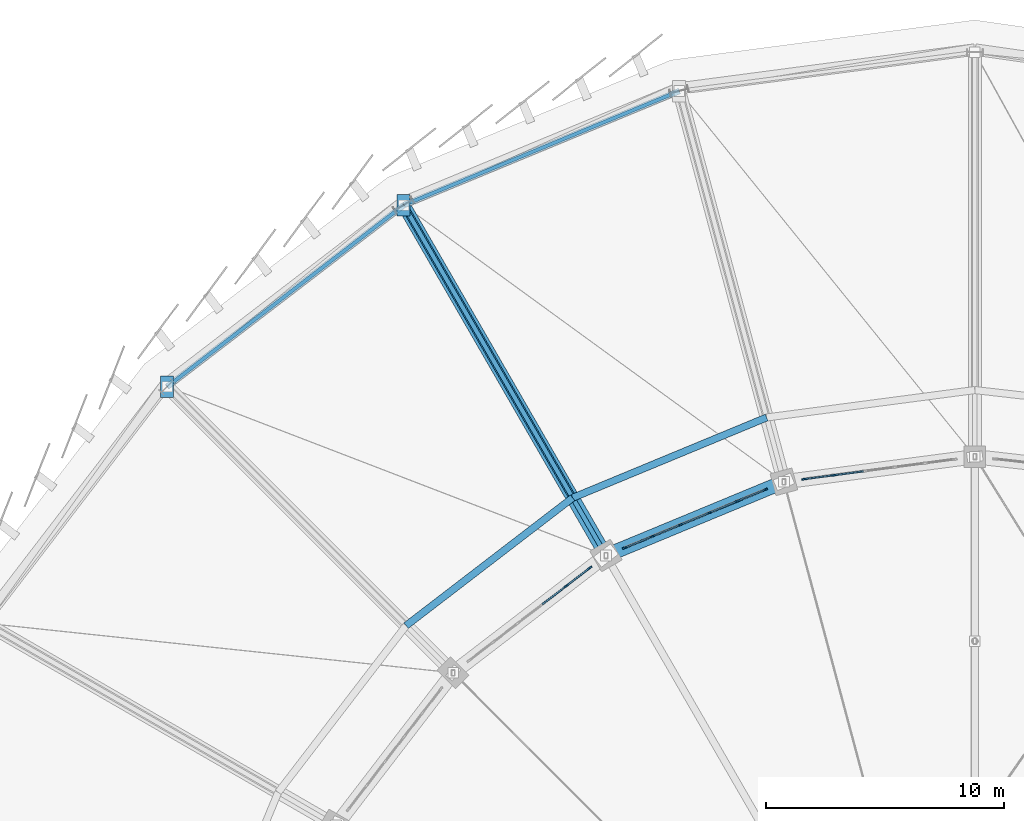
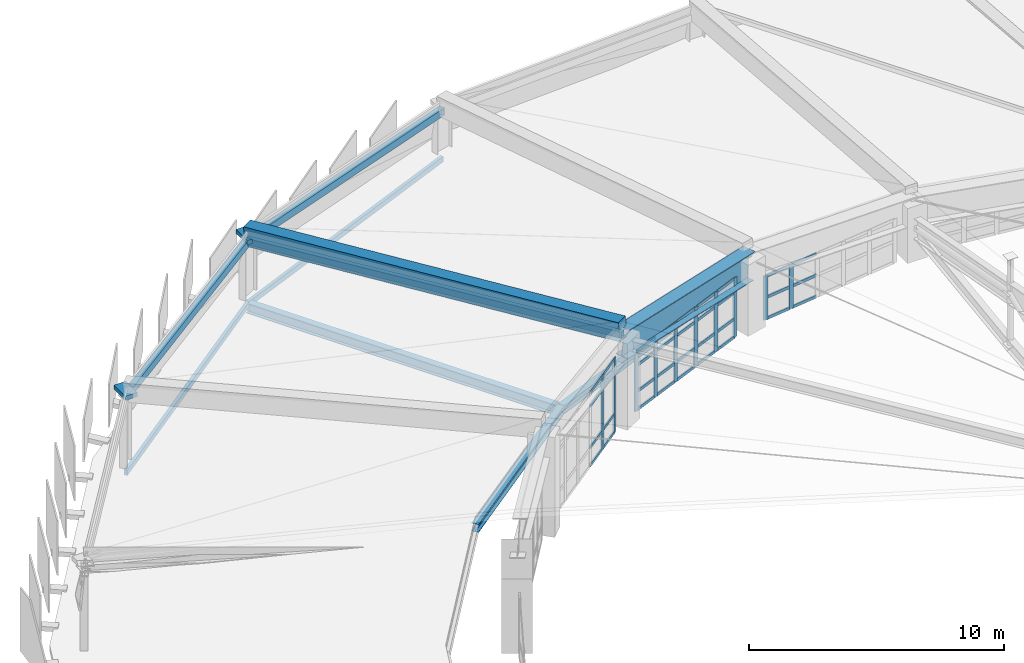
# One storey, part 33 of 68: 47 members, 9 beams, 3 elements without a shape of their own.
"""IFC4 building model written with IfcOpenShell, lengths in metres."""

import ifcopenshell
import ifcopenshell.guid

model = None  # the IFC model being written
_history = None  # IfcOwnerHistory: only IFC2X3 demands one
_inside = {}  # id of a spatial element -> (the spatial element, [elements in it])
_under = {}  # id of a project, library or spatial element -> (it, [spatial elements below it])
_declared = {}  # id of a project -> (the project, [libraries it declares])
_typed = {}  # id of a type object -> (the type object, [elements of that type])
_made_of = {}  # id of a material, layer set ... -> (it, [elements and type objects made of it])


def new_model(schema):
    """Start an empty IFC model of exactly this schema.

    Asked for "IFC4X3", IfcOpenShell would pick the latest addendum, in which some entities
    have other attributes; the version numbers below select the first issue.
    IFC2X3 requires an IfcOwnerHistory on every rooted entity: one is made here for all.
    """
    global model, _history
    if schema == "IFC4X3":
        model = ifcopenshell.file(schema_version=(4, 3, 0, 0))
    else:
        model = ifcopenshell.file(schema=schema)
    _inside.clear()
    _under.clear()
    _declared.clear()
    _typed.clear()
    _made_of.clear()
    _history = None
    if model.schema == "IFC2X3":
        org = make("IfcOrganization", Name="unknown")
        user = make(
            "IfcPersonAndOrganization",
            ThePerson=make("IfcPerson", FamilyName="unknown"),
            TheOrganization=org,
        )
        app = make(
            "IfcApplication",
            ApplicationDeveloper=org,
            Version="unknown",
            ApplicationFullName="unknown",
            ApplicationIdentifier="unknown",
        )
        _history = make(
            "IfcOwnerHistory",
            OwningUser=user,
            OwningApplication=app,
            ChangeAction="ADDED",
            CreationDate=0,
        )
    return model


def make(cls, **values):
    """One entity of the class cls with the attributes given. An attribute that is None is left unset."""
    return model.create_entity(
        cls, **{name: value for name, value in values.items() if value is not None}
    )


def rooted(cls, **values):
    """An entity with a GlobalId (a new one), such as an element, a storey or a relation."""
    return make(cls, GlobalId=ifcopenshell.guid.new(), OwnerHistory=_history, **values)


def si_unit(unit_type, name, prefix=None):
    """IfcSIUnit, for example si_unit("LENGTHUNIT", "METRE", prefix="MILLI")."""
    return make("IfcSIUnit", UnitType=unit_type, Prefix=prefix, Name=name)


def assignment(units):
    """IfcUnitAssignment: the units of a project."""
    return None if units is None else make("IfcUnitAssignment", Units=units)


def point(xyz):
    """IfcCartesianPoint."""
    return None if xyz is None else make("IfcCartesianPoint", Coordinates=xyz)


def direction(xyz):
    """IfcDirection."""
    return None if xyz is None else make("IfcDirection", DirectionRatios=xyz)


def frame(location, z_axis=None, x_axis=None):
    """IfcAxis2Placement3D, a coordinate frame: its origin and axes. An axis left out is left unset."""
    return make(
        "IfcAxis2Placement3D",
        Location=point(location),
        Axis=direction(z_axis),
        RefDirection=direction(x_axis),
    )


def frame_2d(location, x_axis=None):
    """IfcAxis2Placement2D, a coordinate frame in the plane: its origin and x axis."""
    return make(
        "IfcAxis2Placement2D", Location=point(location), RefDirection=direction(x_axis)
    )


def origin():
    """The frame at (0, 0, 0) with its axes left unset."""
    return frame((0.0, 0.0, 0.0))


def origin_2d():
    """The frame at (0, 0) in the plane with its x axis left unset."""
    return frame_2d((0.0, 0.0))


def place(relative_to, where):
    """IfcLocalPlacement: puts the frame where relative to a parent placement (None: the world)."""
    return make(
        "IfcLocalPlacement", PlacementRelTo=relative_to, RelativePlacement=where
    )


def context(
    kind, dimensions, precision=None, world=None, true_north=None, identifier=None
):
    """IfcGeometricRepresentationContext, for example the 3D "Model" context."""
    return make(
        "IfcGeometricRepresentationContext",
        ContextIdentifier=identifier,
        ContextType=kind,
        CoordinateSpaceDimension=dimensions,
        Precision=precision,
        WorldCoordinateSystem=world,
        TrueNorth=true_north,
    )


def subcontext(parent, identifier, kind, view, scale=None):
    """IfcGeometricRepresentationSubContext, for example "Body" below "Model"."""
    return make(
        "IfcGeometricRepresentationSubContext",
        ContextIdentifier=identifier,
        ContextType=kind,
        ParentContext=parent,
        TargetScale=scale,
        TargetView=view,
    )


def project(units=None, contexts=None):
    """IfcProject with its units and contexts."""
    return rooted(
        "IfcProject",
        Name="project",
        RepresentationContexts=contexts,
        UnitsInContext=assignment(units),
    )


def spatial(cls, under=None, at=None, **own):
    """A site, building, storey or space (cls), placed at a placement, below another one or the project."""
    s = rooted(cls, ObjectPlacement=at, **own)
    if under is not None:
        _under.setdefault(under.id(), (under, []))[1].append(s)
    return s


def profile(cls, at=None, kind="AREA", **sizes):
    """A parametric profile (cls). Its sizes go by their IFC names, for example OverallWidth=200.0."""
    return make(cls, ProfileType=kind, Position=at, **sizes)


def rectangle(**sizes):
    """IfcRectangleProfileDef."""
    return profile("IfcRectangleProfileDef", **sizes)


def hollow_rectangle(**sizes):
    """IfcRectangleHollowProfileDef."""
    return profile("IfcRectangleHollowProfileDef", **sizes)


def i_section(**sizes):
    """IfcIShapeProfileDef."""
    return profile("IfcIShapeProfileDef", **sizes)


def extrude(swept, where, along, depth):
    """IfcExtrudedAreaSolid: the profile swept, set in the frame where, extruded along a direction by depth."""
    return make(
        "IfcExtrudedAreaSolid",
        SweptArea=swept,
        Position=where,
        ExtrudedDirection=direction(along),
        Depth=depth,
    )


def shape(context_of_items, identifier, shape_type, items):
    """IfcShapeRepresentation: the items that make up one representation, for example the "Body"."""
    return make(
        "IfcShapeRepresentation",
        ContextOfItems=context_of_items,
        RepresentationIdentifier=identifier,
        RepresentationType=shape_type,
        Items=items,
    )


def material(Name=None, Category=None):
    """IfcMaterial."""
    return make("IfcMaterial", Name=Name, Category=Category)


def layer(
    of_material, thickness, ventilated=None, Name=None, Category=None, Priority=None
):
    """IfcMaterialLayer: one layer of a wall or slab, of a material (None: an air gap)."""
    return make(
        "IfcMaterialLayer",
        Material=of_material,
        LayerThickness=thickness,
        IsVentilated=ventilated,
        Name=Name,
        Category=Category,
        Priority=Priority,
    )


def layer_set(layers, Name=None):
    """IfcMaterialLayerSet."""
    return make("IfcMaterialLayerSet", MaterialLayers=layers, LayerSetName=Name)


def material_profile(
    of_material, cross_section, Name=None, Category=None, Priority=None
):
    """IfcMaterialProfile: a cross section and its material."""
    return make(
        "IfcMaterialProfile",
        Name=Name,
        Material=of_material,
        Profile=cross_section,
        Priority=Priority,
        Category=Category,
    )


def profile_set(profiles, Name=None, composite=None):
    """IfcMaterialProfileSet."""
    return make(
        "IfcMaterialProfileSet",
        Name=Name,
        MaterialProfiles=profiles,
        CompositeProfile=composite,
    )


def made_of(thing, what):
    """Note that an element or type object is made of a material, layer set ...; save() writes the relation."""
    if what is not None:
        _made_of.setdefault(what.id(), (what, []))[1].append(thing)
    return thing


def type_object(cls, material=None, **own):
    """A type object (cls), such as IfcWallType, which elements share."""
    return made_of(rooted(cls, **own), material)


def element(
    cls,
    number,
    at=None,
    inside=None,
    cuts=None,
    type_object=None,
    material=None,
    context=None,
    identifier="Body",
    shape_type=None,
    held_by="IfcProductDefinitionShape",
    body=None,
    shapes=None,
    **own,
):
    """One element of the class cls, such as IfcWall. Its Tag is "e" and its number.

    at: its placement. inside: the storey or other place that contains it. cuts: it is an
    opening in that element (IfcRelVoidsElement). A single representation is given by context,
    identifier, shape_type and body (its items); several are given by shapes. held_by: the class
    of the entity that holds the representations. save() writes the other relations.
    """
    e = rooted(cls, Tag="e%d" % number, ObjectPlacement=at, **own)
    if body is not None:
        shapes = [shape(context, identifier, shape_type, body)]
    if shapes is not None:
        e.Representation = make(held_by, Representations=shapes)
    if inside is not None:
        _inside.setdefault(inside.id(), (inside, []))[1].append(e)
    if cuts is not None:
        rooted(
            "IfcRelVoidsElement", RelatingBuildingElement=cuts, RelatedOpeningElement=e
        )
    if type_object is not None:
        _typed.setdefault(type_object.id(), (type_object, []))[1].append(e)
    return made_of(e, material)


def aggregate(whole, parts):
    """IfcRelAggregates: a whole, such as a stair, and the parts it consists of."""
    return rooted("IfcRelAggregates", RelatingObject=whole, RelatedObjects=parts)


def save(model, path):
    """Write the relations noted so far, then the file.

    IfcRelAggregates (storeys below a building ...), IfcRelContainedInSpatialStructure (elements
    in a storey), IfcRelDefinesByType, IfcRelAssociatesMaterial and IfcRelDeclares: one each for
    every whole, place, type object, material and project.
    """
    for whole, parts in _under.values():
        aggregate(whole, parts)
    for where, things in _inside.values():
        rooted(
            "IfcRelContainedInSpatialStructure",
            RelatedElements=things,
            RelatingStructure=where,
        )
    for kind, things in _typed.values():
        rooted("IfcRelDefinesByType", RelatedObjects=things, RelatingType=kind)
    for what, things in _made_of.values():
        rooted("IfcRelAssociatesMaterial", RelatedObjects=things, RelatingMaterial=what)
    for by, libraries in _declared.values():
        rooted("IfcRelDeclares", RelatingContext=by, RelatedDefinitions=libraries)
    model.write(path)


model = new_model("IFC4")

# Units and contexts
model_context = context("Model", 3, precision=1e-05, world=origin(), true_north=direction((0.0, 1.0)))
body_context = subcontext(model_context, "Body", "Model", "MODEL_VIEW")
ifc_project = project(units=[si_unit("LENGTHUNIT", "METRE"), si_unit("AREAUNIT", "SQUARE_METRE"), si_unit("VOLUMEUNIT", "CUBIC_METRE"), si_unit("PLANEANGLEUNIT", "RADIAN"), si_unit("MASSUNIT", "GRAM", prefix="KILO")], contexts=[model_context])

# Site, building, storey
site_placement = place(None, origin())
site = spatial("IfcSite", under=ifc_project, at=site_placement, CompositionType="ELEMENT")
building_placement = place(site_placement, origin())
building = spatial("IfcBuilding", under=site, at=building_placement, Name="Sohan Crest Arena", CompositionType="ELEMENT")
storey_placement = place(building_placement, frame((0.0, 0.0, 27.0)))
storey = spatial("IfcBuildingStorey", under=building, at=storey_placement, Name="RF", CompositionType="ELEMENT", Elevation=27.0)

# Curtain wall, members
ifc_material_1 = material(Name="Thermally broken anodised aluminium", Category="aluminium")
ifc_layer = layer(ifc_material_1, 0.18994140625, Name="Thermally broken anodised aluminium")
ifc_layer_set = layer_set([ifc_layer], Name="Thermally broken anodised aluminium")
curtain_wall_type = type_object("IfcCurtainWallType", Name="ARC-CW05", PredefinedType="NOTDEFINED", material=ifc_layer_set)
curtain_wall_1_placement = place(storey_placement, origin())
curtain_wall_1 = element("IfcCurtainWall", 1, at=curtain_wall_1_placement, inside=storey, type_object=curtain_wall_type, Name="Unitised curtain wall CW-165", PredefinedType="NOTDEFINED")
ifc_material_profile_1 = material_profile(ifc_material_1, rectangle(XDim=0.070068359375, YDim=0.199951171875, at=origin_2d()), Name="ALU-MULL 70x200")
ifc_profile_set_1 = profile_set([ifc_material_profile_1], Name="Thermally broken anodised aluminium")
member_type_1 = type_object("IfcMemberType", Name="ARC-CW-ML03", PredefinedType="MULLION", material=ifc_profile_set_1)
member_1_placement = place(storey_placement, frame((92.0693359375, 108.219482421875, 0.0), z_axis=(0.0, 0.0, 1.0), x_axis=(0.130498613419, -0.991448491802, 0.0)))
member_1 = element("IfcMember", 2, at=member_1_placement, type_object=member_type_1, Name="CW-165 mullion 5", PredefinedType="MULLION", context=body_context, shape_type="SweptSolid", body=[
    extrude(rectangle(XDim=0.070068359375, YDim=0.199951171875, at=origin_2d()), origin(), (0.0, 0.0, 1.0), 2.097900390625),
])
member_2_placement = place(storey_placement, frame((90.82470703125, 108.0556640625, 0.0), z_axis=(0.0, 0.0, 1.0), x_axis=(0.130498613419, -0.991448491802, 0.0)))
member_2 = element("IfcMember", 3, at=member_2_placement, type_object=member_type_1, Name="CW-165 mullion 6", PredefinedType="MULLION", context=body_context, shape_type="SweptSolid", body=[
    extrude(rectangle(XDim=0.070068359375, YDim=0.199951171875, at=origin_2d()), origin(), (0.0, 0.0, 1.0), 2.097900390625),
])

curtain_wall_2_placement = place(storey_placement, origin())
curtain_wall_2 = element("IfcCurtainWall", 4, at=curtain_wall_2_placement, inside=storey, type_object=curtain_wall_type, Name="Unitised curtain wall CW-167", PredefinedType="NOTDEFINED")
member_3_placement = place(storey_placement, frame((89.186767578125, 107.61669921875, 0.0), z_axis=(0.0, 0.0, 1.0), x_axis=(0.382666625357, -0.923886494023, 0.0)))
member_3 = element("IfcMember", 5, at=member_3_placement, type_object=member_type_1, Name="CW-167 mullion 1", PredefinedType="MULLION", context=body_context, shape_type="SweptSolid", body=[
    extrude(rectangle(XDim=0.070068359375, YDim=0.199951171875, at=origin_2d()), origin(), (0.0, 0.0, 1.0), 2.861083984375),
])
member_4_placement = place(storey_placement, frame((88.02685546875, 107.13623046875, 0.0), z_axis=(0.0, 0.0, 1.0), x_axis=(0.382666625357, -0.923886494023, 0.0)))
member_4 = element("IfcMember", 6, at=member_4_placement, type_object=member_type_1, Name="CW-167 mullion 2", PredefinedType="MULLION", context=body_context, shape_type="SweptSolid", body=[
    extrude(rectangle(XDim=0.070068359375, YDim=0.199951171875, at=origin_2d()), origin(), (0.0, 0.0, 1.0), 2.861083984375),
])
member_5_placement = place(storey_placement, frame((86.834716796875, 106.642333984375, 0.0), z_axis=(0.0, 0.0, 1.0), x_axis=(0.382666625357, -0.923886494023, 0.0)))
member_5 = element("IfcMember", 7, at=member_5_placement, type_object=member_type_1, Name="CW-167 mullion 3", PredefinedType="MULLION", context=body_context, shape_type="SweptSolid", body=[
    extrude(rectangle(XDim=0.070068359375, YDim=0.199951171875, at=origin_2d()), origin(), (0.0, 0.0, 1.0), 2.861083984375),
])
member_6_placement = place(storey_placement, frame((85.642333984375, 106.148681640625, 0.0), z_axis=(0.0, 0.0, 1.0), x_axis=(0.382666625357, -0.923886494023, 0.0)))
member_6 = element("IfcMember", 8, at=member_6_placement, type_object=member_type_1, Name="CW-167 mullion 4", PredefinedType="MULLION", context=body_context, shape_type="SweptSolid", body=[
    extrude(rectangle(XDim=0.070068359375, YDim=0.199951171875, at=origin_2d()), origin(), (0.0, 0.0, 1.0), 2.861083984375),
])
member_7_placement = place(storey_placement, frame((84.4501953125, 105.65478515625, 0.0), z_axis=(0.0, 0.0, 1.0), x_axis=(0.382666625357, -0.923886494023, 0.0)))
member_7 = element("IfcMember", 9, at=member_7_placement, type_object=member_type_1, Name="CW-167 mullion 5", PredefinedType="MULLION", context=body_context, shape_type="SweptSolid", body=[
    extrude(rectangle(XDim=0.070068359375, YDim=0.199951171875, at=origin_2d()), origin(), (0.0, 0.0, 1.0), 2.861083984375),
])
member_8_placement = place(storey_placement, frame((83.290283203125, 105.17431640625, 0.0), z_axis=(0.0, 0.0, 1.0), x_axis=(0.382666625357, -0.923886494023, 0.0)))
member_8 = element("IfcMember", 10, at=member_8_placement, type_object=member_type_1, Name="CW-167 mullion 6", PredefinedType="MULLION", context=body_context, shape_type="SweptSolid", body=[
    extrude(rectangle(XDim=0.070068359375, YDim=0.199951171875, at=origin_2d()), origin(), (0.0, 0.0, 1.0), 2.861083984375),
])

curtain_wall_3_placement = place(storey_placement, origin())
curtain_wall_3 = element("IfcCurtainWall", 11, at=curtain_wall_3_placement, inside=storey, type_object=curtain_wall_type, Name="Unitised curtain wall CW-169", PredefinedType="NOTDEFINED")
member_9_placement = place(storey_placement, frame((81.8212890625, 104.32666015625, 0.0), z_axis=(0.0, 0.0, 1.0), x_axis=(0.608939000248, -0.793217053508, 0.0)))
member_9 = element("IfcMember", 12, at=member_9_placement, type_object=member_type_1, Name="CW-169 mullion 1", PredefinedType="MULLION", context=body_context, shape_type="SweptSolid", body=[
    extrude(rectangle(XDim=0.070068359375, YDim=0.199951171875, at=origin_2d()), origin(), (0.0, 0.0, 1.0), 3.5830078125),
])
member_10_placement = place(storey_placement, frame((80.825439453125, 103.562255859375, 0.0), z_axis=(0.0, 0.0, 1.0), x_axis=(0.608939000248, -0.793217053508, 0.0)))
member_10 = element("IfcMember", 13, at=member_10_placement, type_object=member_type_1, Name="CW-169 mullion 2", PredefinedType="MULLION", context=body_context, shape_type="SweptSolid", body=[
    extrude(rectangle(XDim=0.070068359375, YDim=0.199951171875, at=origin_2d()), origin(), (0.0, 0.0, 1.0), 3.5830078125),
])

# Member
ifc_material_profile_2 = material_profile(ifc_material_1, rectangle(XDim=0.06494140625, YDim=0.139892578125, at=origin_2d()), Name="ALU-TRAN 65x140")
ifc_profile_set_2 = profile_set([ifc_material_profile_2], Name="Thermally broken anodised aluminium")
member_type_2 = type_object("IfcMemberType", Name="ARC-CW-TR02", PredefinedType="USERDEFINED", material=ifc_profile_set_2)
member_11_placement = place(storey_placement, frame((93.314208984375, 108.38330078125, 0.032470703125), z_axis=(-0.991434542181, -0.130604550342, 0.0), x_axis=(0.130604550342, -0.991434542181, 0.0)))
member_11 = element("IfcMember", 14, at=member_11_placement, type_object=member_type_2, Name="CW-165 transom 4.1", ObjectType="TRANSOM", PredefinedType="USERDEFINED", context=body_context, shape_type="SweptSolid", body=[
    extrude(rectangle(XDim=0.06494140625, YDim=0.139892578125, at=origin_2d()), origin(), (0.0, 0.0, 1.0), 1.220703125),
])

member_12_placement = place(storey_placement, frame((93.314208984375, 108.38330078125, 1.049072265625), z_axis=(-0.991434542181, -0.130604550342, 0.0), x_axis=(0.130604550342, -0.991434542181, 0.0)))
member_12 = element("IfcMember", 15, at=member_12_placement, type_object=member_type_2, Name="CW-165 transom 4.2", ObjectType="TRANSOM", PredefinedType="USERDEFINED", context=body_context, shape_type="SweptSolid", body=[
    extrude(rectangle(XDim=0.06494140625, YDim=0.139892578125, at=origin_2d()), origin(), (0.0, 0.0, 1.0), 1.220703125),
])

member_13_placement = place(storey_placement, frame((93.314208984375, 108.38330078125, 2.0654296875), z_axis=(-0.991434542181, -0.130604550342, 0.0), x_axis=(0.130604550342, -0.991434542181, 0.0)))
member_13 = element("IfcMember", 16, at=member_13_placement, type_object=member_type_2, Name="CW-165 transom 4.3", ObjectType="TRANSOM", PredefinedType="USERDEFINED", context=body_context, shape_type="SweptSolid", body=[
    extrude(rectangle(XDim=0.06494140625, YDim=0.139892578125, at=origin_2d()), origin(), (0.0, 0.0, 1.0), 1.220703125),
])

member_14_placement = place(storey_placement, frame((92.03466796875, 108.21484375, 0.032470703125), z_axis=(-0.991438866968, -0.130571716173, 0.0), x_axis=(0.130571716173, -0.991438866968, 0.0)))
member_14 = element("IfcMember", 17, at=member_14_placement, type_object=member_type_2, Name="CW-165 transom 5.1", ObjectType="TRANSOM", PredefinedType="USERDEFINED", context=body_context, shape_type="SweptSolid", body=[
    extrude(rectangle(XDim=0.06494140625, YDim=0.139892578125, at=origin_2d()), origin(), (0.0, 0.0, 1.0), 1.185546875),
])

member_15_placement = place(storey_placement, frame((92.03466796875, 108.21484375, 1.049072265625), z_axis=(-0.991438866968, -0.130571716173, 0.0), x_axis=(0.130571716173, -0.991438866968, 0.0)))
member_15 = element("IfcMember", 18, at=member_15_placement, type_object=member_type_2, Name="CW-165 transom 5.2", ObjectType="TRANSOM", PredefinedType="USERDEFINED", context=body_context, shape_type="SweptSolid", body=[
    extrude(rectangle(XDim=0.06494140625, YDim=0.139892578125, at=origin_2d()), origin(), (0.0, 0.0, 1.0), 1.185546875),
])

member_16_placement = place(storey_placement, frame((92.03466796875, 108.21484375, 2.0654296875), z_axis=(-0.991438866968, -0.130571716173, 0.0), x_axis=(0.130571716173, -0.991438866968, 0.0)))
member_16 = element("IfcMember", 19, at=member_16_placement, type_object=member_type_2, Name="CW-165 transom 5.3", ObjectType="TRANSOM", PredefinedType="USERDEFINED", context=body_context, shape_type="SweptSolid", body=[
    extrude(rectangle(XDim=0.06494140625, YDim=0.139892578125, at=origin_2d()), origin(), (0.0, 0.0, 1.0), 1.185546875),
])

aggregate(curtain_wall_1, [member_1, member_2, member_11, member_12, member_13, member_14, member_15, member_16])

member_17_placement = place(storey_placement, frame((89.154296875, 107.603271484375, 0.032470703125), z_axis=(-0.923891330959, -0.382654947151, 0.0), x_axis=(0.382654947151, -0.923891330959, 0.0)))
member_17 = element("IfcMember", 20, at=member_17_placement, type_object=member_type_2, Name="CW-167 transom 1.1", ObjectType="TRANSOM", PredefinedType="USERDEFINED", context=body_context, shape_type="SweptSolid", body=[
    extrude(rectangle(XDim=0.06494140625, YDim=0.139892578125, at=origin_2d()), origin(), (0.0, 0.0, 1.0), 1.185546875),
])

member_18_placement = place(storey_placement, frame((89.154296875, 107.603271484375, 0.89990234375), z_axis=(-0.923891330959, -0.382654947151, 0.0), x_axis=(0.382654947151, -0.923891330959, 0.0)))
member_18 = element("IfcMember", 21, at=member_18_placement, type_object=member_type_2, Name="CW-167 transom 1.2", ObjectType="TRANSOM", PredefinedType="USERDEFINED", context=body_context, shape_type="SweptSolid", body=[
    extrude(rectangle(XDim=0.06494140625, YDim=0.139892578125, at=origin_2d()), origin(), (0.0, 0.0, 1.0), 1.185546875),
])

member_19_placement = place(storey_placement, frame((89.154296875, 107.603271484375, 2.160888671875), z_axis=(-0.923891330959, -0.382654947151, 0.0), x_axis=(0.382654947151, -0.923891330959, 0.0)))
member_19 = element("IfcMember", 22, at=member_19_placement, type_object=member_type_2, Name="CW-167 transom 1.3", ObjectType="TRANSOM", PredefinedType="USERDEFINED", context=body_context, shape_type="SweptSolid", body=[
    extrude(rectangle(XDim=0.06494140625, YDim=0.139892578125, at=origin_2d()), origin(), (0.0, 0.0, 1.0), 1.185546875),
])

member_20_placement = place(storey_placement, frame((89.154296875, 107.603271484375, 2.82861328125), z_axis=(-0.923891330959, -0.382654947151, 0.0), x_axis=(0.382654947151, -0.923891330959, 0.0)))
member_20 = element("IfcMember", 23, at=member_20_placement, type_object=member_type_2, Name="CW-167 transom 1.4", ObjectType="TRANSOM", PredefinedType="USERDEFINED", context=body_context, shape_type="SweptSolid", body=[
    extrude(rectangle(XDim=0.06494140625, YDim=0.139892578125, at=origin_2d()), origin(), (0.0, 0.0, 1.0), 1.185546875),
])

member_21_placement = place(storey_placement, frame((87.994384765625, 107.122802734375, 0.032470703125), z_axis=(-0.923868089985, -0.382711055899, 0.0), x_axis=(0.382711055899, -0.923868089985, 0.0)))
member_21 = element("IfcMember", 24, at=member_21_placement, type_object=member_type_2, Name="CW-167 transom 2.1", ObjectType="TRANSOM", PredefinedType="USERDEFINED", context=body_context, shape_type="SweptSolid", body=[
    extrude(rectangle(XDim=0.06494140625, YDim=0.139892578125, at=origin_2d()), origin(), (0.0, 0.0, 1.0), 1.220458984375),
])

member_22_placement = place(storey_placement, frame((87.994384765625, 107.122802734375, 0.89990234375), z_axis=(-0.923868089985, -0.382711055899, 0.0), x_axis=(0.382711055899, -0.923868089985, 0.0)))
member_22 = element("IfcMember", 25, at=member_22_placement, type_object=member_type_2, Name="CW-167 transom 2.2", ObjectType="TRANSOM", PredefinedType="USERDEFINED", context=body_context, shape_type="SweptSolid", body=[
    extrude(rectangle(XDim=0.06494140625, YDim=0.139892578125, at=origin_2d()), origin(), (0.0, 0.0, 1.0), 1.220458984375),
])

member_23_placement = place(storey_placement, frame((87.994384765625, 107.122802734375, 2.160888671875), z_axis=(-0.923868089985, -0.382711055899, 0.0), x_axis=(0.382711055899, -0.923868089985, 0.0)))
member_23 = element("IfcMember", 26, at=member_23_placement, type_object=member_type_2, Name="CW-167 transom 2.3", ObjectType="TRANSOM", PredefinedType="USERDEFINED", context=body_context, shape_type="SweptSolid", body=[
    extrude(rectangle(XDim=0.06494140625, YDim=0.139892578125, at=origin_2d()), origin(), (0.0, 0.0, 1.0), 1.220458984375),
])

member_24_placement = place(storey_placement, frame((87.994384765625, 107.122802734375, 2.82861328125), z_axis=(-0.923868089985, -0.382711055899, 0.0), x_axis=(0.382711055899, -0.923868089985, 0.0)))
member_24 = element("IfcMember", 27, at=member_24_placement, type_object=member_type_2, Name="CW-167 transom 2.4", ObjectType="TRANSOM", PredefinedType="USERDEFINED", context=body_context, shape_type="SweptSolid", body=[
    extrude(rectangle(XDim=0.06494140625, YDim=0.139892578125, at=origin_2d()), origin(), (0.0, 0.0, 1.0), 1.220458984375),
])

member_25_placement = place(storey_placement, frame((86.80224609375, 106.62890625, 0.032470703125), z_axis=(-0.92393881505, -0.382540280289, 0.0), x_axis=(0.382540280289, -0.92393881505, 0.0)))
member_25 = element("IfcMember", 28, at=member_25_placement, type_object=member_type_2, Name="CW-167 transom 3.1", ObjectType="TRANSOM", PredefinedType="USERDEFINED", context=body_context, shape_type="SweptSolid", body=[
    extrude(rectangle(XDim=0.06494140625, YDim=0.139892578125, at=origin_2d()), origin(), (0.0, 0.0, 1.0), 1.22021484375),
])

member_26_placement = place(storey_placement, frame((86.80224609375, 106.62890625, 0.89990234375), z_axis=(-0.92393881505, -0.382540280289, 0.0), x_axis=(0.382540280289, -0.92393881505, 0.0)))
member_26 = element("IfcMember", 29, at=member_26_placement, type_object=member_type_2, Name="CW-167 transom 3.2", ObjectType="TRANSOM", PredefinedType="USERDEFINED", context=body_context, shape_type="SweptSolid", body=[
    extrude(rectangle(XDim=0.06494140625, YDim=0.139892578125, at=origin_2d()), origin(), (0.0, 0.0, 1.0), 1.22021484375),
])

member_27_placement = place(storey_placement, frame((86.80224609375, 106.62890625, 2.160888671875), z_axis=(-0.92393881505, -0.382540280289, 0.0), x_axis=(0.382540280289, -0.92393881505, 0.0)))
member_27 = element("IfcMember", 30, at=member_27_placement, type_object=member_type_2, Name="CW-167 transom 3.3", ObjectType="TRANSOM", PredefinedType="USERDEFINED", context=body_context, shape_type="SweptSolid", body=[
    extrude(rectangle(XDim=0.06494140625, YDim=0.139892578125, at=origin_2d()), origin(), (0.0, 0.0, 1.0), 1.22021484375),
])

member_28_placement = place(storey_placement, frame((86.80224609375, 106.62890625, 2.82861328125), z_axis=(-0.92393881505, -0.382540280289, 0.0), x_axis=(0.382540280289, -0.92393881505, 0.0)))
member_28 = element("IfcMember", 31, at=member_28_placement, type_object=member_type_2, Name="CW-167 transom 3.4", ObjectType="TRANSOM", PredefinedType="USERDEFINED", context=body_context, shape_type="SweptSolid", body=[
    extrude(rectangle(XDim=0.06494140625, YDim=0.139892578125, at=origin_2d()), origin(), (0.0, 0.0, 1.0), 1.22021484375),
])

member_29_placement = place(storey_placement, frame((85.610107421875, 106.13525390625, 0.032470703125), z_axis=(-0.923897383917, -0.382640332417, 0.0), x_axis=(0.382640332417, -0.923897383917, 0.0)))
member_29 = element("IfcMember", 32, at=member_29_placement, type_object=member_type_2, Name="CW-167 transom 4.1", ObjectType="TRANSOM", PredefinedType="USERDEFINED", context=body_context, shape_type="SweptSolid", body=[
    extrude(rectangle(XDim=0.06494140625, YDim=0.139892578125, at=origin_2d()), origin(), (0.0, 0.0, 1.0), 1.220458984375),
])

member_30_placement = place(storey_placement, frame((85.610107421875, 106.13525390625, 0.89990234375), z_axis=(-0.923897383917, -0.382640332417, 0.0), x_axis=(0.382640332417, -0.923897383917, 0.0)))
member_30 = element("IfcMember", 33, at=member_30_placement, type_object=member_type_2, Name="CW-167 transom 4.2", ObjectType="TRANSOM", PredefinedType="USERDEFINED", context=body_context, shape_type="SweptSolid", body=[
    extrude(rectangle(XDim=0.06494140625, YDim=0.139892578125, at=origin_2d()), origin(), (0.0, 0.0, 1.0), 1.220458984375),
])

member_31_placement = place(storey_placement, frame((85.610107421875, 106.13525390625, 2.160888671875), z_axis=(-0.923897383917, -0.382640332417, 0.0), x_axis=(0.382640332417, -0.923897383917, 0.0)))
member_31 = element("IfcMember", 34, at=member_31_placement, type_object=member_type_2, Name="CW-167 transom 4.3", ObjectType="TRANSOM", PredefinedType="USERDEFINED", context=body_context, shape_type="SweptSolid", body=[
    extrude(rectangle(XDim=0.06494140625, YDim=0.139892578125, at=origin_2d()), origin(), (0.0, 0.0, 1.0), 1.220458984375),
])

member_32_placement = place(storey_placement, frame((85.610107421875, 106.13525390625, 2.82861328125), z_axis=(-0.923897383917, -0.382640332417, 0.0), x_axis=(0.382640332417, -0.923897383917, 0.0)))
member_32 = element("IfcMember", 35, at=member_32_placement, type_object=member_type_2, Name="CW-167 transom 4.4", ObjectType="TRANSOM", PredefinedType="USERDEFINED", context=body_context, shape_type="SweptSolid", body=[
    extrude(rectangle(XDim=0.06494140625, YDim=0.139892578125, at=origin_2d()), origin(), (0.0, 0.0, 1.0), 1.220458984375),
])

member_33_placement = place(storey_placement, frame((84.41796875, 105.641357421875, 0.032470703125), z_axis=(-0.923891330959, -0.382654947151, 0.0), x_axis=(0.382654947151, -0.923891330959, 0.0)))
member_33 = element("IfcMember", 36, at=member_33_placement, type_object=member_type_2, Name="CW-167 transom 5.1", ObjectType="TRANSOM", PredefinedType="USERDEFINED", context=body_context, shape_type="SweptSolid", body=[
    extrude(rectangle(XDim=0.06494140625, YDim=0.139892578125, at=origin_2d()), origin(), (0.0, 0.0, 1.0), 1.185546875),
])

member_34_placement = place(storey_placement, frame((84.41796875, 105.641357421875, 0.89990234375), z_axis=(-0.923891330959, -0.382654947151, 0.0), x_axis=(0.382654947151, -0.923891330959, 0.0)))
member_34 = element("IfcMember", 37, at=member_34_placement, type_object=member_type_2, Name="CW-167 transom 5.2", ObjectType="TRANSOM", PredefinedType="USERDEFINED", context=body_context, shape_type="SweptSolid", body=[
    extrude(rectangle(XDim=0.06494140625, YDim=0.139892578125, at=origin_2d()), origin(), (0.0, 0.0, 1.0), 1.185546875),
])

member_35_placement = place(storey_placement, frame((84.41796875, 105.641357421875, 2.160888671875), z_axis=(-0.923891330959, -0.382654947151, 0.0), x_axis=(0.382654947151, -0.923891330959, 0.0)))
member_35 = element("IfcMember", 38, at=member_35_placement, type_object=member_type_2, Name="CW-167 transom 5.3", ObjectType="TRANSOM", PredefinedType="USERDEFINED", context=body_context, shape_type="SweptSolid", body=[
    extrude(rectangle(XDim=0.06494140625, YDim=0.139892578125, at=origin_2d()), origin(), (0.0, 0.0, 1.0), 1.185546875),
])

member_36_placement = place(storey_placement, frame((84.41796875, 105.641357421875, 2.82861328125), z_axis=(-0.923891330959, -0.382654947151, 0.0), x_axis=(0.382654947151, -0.923891330959, 0.0)))
member_36 = element("IfcMember", 39, at=member_36_placement, type_object=member_type_2, Name="CW-167 transom 5.4", ObjectType="TRANSOM", PredefinedType="USERDEFINED", context=body_context, shape_type="SweptSolid", body=[
    extrude(rectangle(XDim=0.06494140625, YDim=0.139892578125, at=origin_2d()), origin(), (0.0, 0.0, 1.0), 1.185546875),
])

aggregate(curtain_wall_2, [member_3, member_4, member_5, member_6, member_7, member_8, member_17, member_18, member_19, member_20, member_21, member_22, member_23, member_24, member_25, member_26, member_27, member_28, member_29, member_30, member_31, member_32, member_33, member_34, member_35, member_36])

member_37_placement = place(storey_placement, frame((81.79345703125, 104.305419921875, 0.032470703125), z_axis=(-0.793151990467, -0.609023743394, 0.0), x_axis=(0.609023743394, -0.793151990467, 0.0)))
member_37 = element("IfcMember", 40, at=member_37_placement, type_object=member_type_2, Name="CW-169 transom 1.1", ObjectType="TRANSOM", PredefinedType="USERDEFINED", context=body_context, shape_type="SweptSolid", body=[
    extrude(rectangle(XDim=0.06494140625, YDim=0.139892578125, at=origin_2d()), origin(), (0.0, 0.0, 1.0), 1.185302734375),
])

member_38_placement = place(storey_placement, frame((81.79345703125, 104.305419921875, 0.89990234375), z_axis=(-0.793151990467, -0.609023743394, 0.0), x_axis=(0.609023743394, -0.793151990467, 0.0)))
member_38 = element("IfcMember", 41, at=member_38_placement, type_object=member_type_2, Name="CW-169 transom 1.2", ObjectType="TRANSOM", PredefinedType="USERDEFINED", context=body_context, shape_type="SweptSolid", body=[
    extrude(rectangle(XDim=0.06494140625, YDim=0.139892578125, at=origin_2d()), origin(), (0.0, 0.0, 1.0), 1.185302734375),
])

member_39_placement = place(storey_placement, frame((81.79345703125, 104.305419921875, 2.883056640625), z_axis=(-0.793151990467, -0.609023743394, 0.0), x_axis=(0.609023743394, -0.793151990467, 0.0)))
member_39 = element("IfcMember", 42, at=member_39_placement, type_object=member_type_2, Name="CW-169 transom 1.3", ObjectType="TRANSOM", PredefinedType="USERDEFINED", context=body_context, shape_type="SweptSolid", body=[
    extrude(rectangle(XDim=0.06494140625, YDim=0.139892578125, at=origin_2d()), origin(), (0.0, 0.0, 1.0), 1.185302734375),
])

member_40_placement = place(storey_placement, frame((81.79345703125, 104.305419921875, 3.550537109375), z_axis=(-0.793151990467, -0.609023743394, 0.0), x_axis=(0.609023743394, -0.793151990467, 0.0)))
member_40 = element("IfcMember", 43, at=member_40_placement, type_object=member_type_2, Name="CW-169 transom 1.4", ObjectType="TRANSOM", PredefinedType="USERDEFINED", context=body_context, shape_type="SweptSolid", body=[
    extrude(rectangle(XDim=0.06494140625, YDim=0.139892578125, at=origin_2d()), origin(), (0.0, 0.0, 1.0), 1.185302734375),
])

member_41_placement = place(storey_placement, frame((80.797607421875, 103.540771484375, 0.032470703125), z_axis=(-0.793203705004, -0.608956387903, 0.0), x_axis=(0.608956387903, -0.793203705004, 0.0)))
member_41 = element("IfcMember", 44, at=member_41_placement, type_object=member_type_2, Name="CW-169 transom 2.1", ObjectType="TRANSOM", PredefinedType="USERDEFINED", context=body_context, shape_type="SweptSolid", body=[
    extrude(rectangle(XDim=0.06494140625, YDim=0.139892578125, at=origin_2d()), origin(), (0.0, 0.0, 1.0), 1.220458984375),
])

member_42_placement = place(storey_placement, frame((80.797607421875, 103.540771484375, 0.89990234375), z_axis=(-0.793203705004, -0.608956387903, 0.0), x_axis=(0.608956387903, -0.793203705004, 0.0)))
member_42 = element("IfcMember", 45, at=member_42_placement, type_object=member_type_2, Name="CW-169 transom 2.2", ObjectType="TRANSOM", PredefinedType="USERDEFINED", context=body_context, shape_type="SweptSolid", body=[
    extrude(rectangle(XDim=0.06494140625, YDim=0.139892578125, at=origin_2d()), origin(), (0.0, 0.0, 1.0), 1.220458984375),
])

member_43_placement = place(storey_placement, frame((80.797607421875, 103.540771484375, 2.883056640625), z_axis=(-0.793203705004, -0.608956387903, 0.0), x_axis=(0.608956387903, -0.793203705004, 0.0)))
member_43 = element("IfcMember", 46, at=member_43_placement, type_object=member_type_2, Name="CW-169 transom 2.3", ObjectType="TRANSOM", PredefinedType="USERDEFINED", context=body_context, shape_type="SweptSolid", body=[
    extrude(rectangle(XDim=0.06494140625, YDim=0.139892578125, at=origin_2d()), origin(), (0.0, 0.0, 1.0), 1.220458984375),
])

member_44_placement = place(storey_placement, frame((80.797607421875, 103.540771484375, 3.550537109375), z_axis=(-0.793203705004, -0.608956387903, 0.0), x_axis=(0.608956387903, -0.793203705004, 0.0)))
member_44 = element("IfcMember", 47, at=member_44_placement, type_object=member_type_2, Name="CW-169 transom 2.4", ObjectType="TRANSOM", PredefinedType="USERDEFINED", context=body_context, shape_type="SweptSolid", body=[
    extrude(rectangle(XDim=0.06494140625, YDim=0.139892578125, at=origin_2d()), origin(), (0.0, 0.0, 1.0), 1.220458984375),
])

aggregate(curtain_wall_3, [member_9, member_10, member_37, member_38, member_39, member_40, member_41, member_42, member_43, member_44])

# Beams
ifc_material_2 = material(Name="Steel S355", Category="steel")
ifc_material_profile_3 = material_profile(ifc_material_2, i_section(OverallWidth=0.300048828125, OverallDepth=0.389892578125, WebThickness=0.010986328125, FlangeThickness=0.01904296875, at=origin_2d()), Name="HEA 400")
ifc_profile_set_3 = profile_set([ifc_material_profile_3], Name="Steel S355")
beam_type_1 = type_object("IfcBeamType", Name="STR-BM-B09", PredefinedType="BEAM", material=ifc_profile_set_3)
beam_1_placement = place(storey_placement, frame((89.251953125, 110.64794921875, -0.4150390625), z_axis=(-0.923904876385, -0.38262224111, 0.0), x_axis=(0.38262224111, -0.923904876385, 0.0)))
element("IfcBeam", 48, at=beam_1_placement, inside=storey, type_object=beam_type_1, Name="Structural beam RG-RF-1870", PredefinedType="BEAM", context=body_context, shape_type="SweptSolid", body=[
    extrude(i_section(OverallWidth=0.300048828125, OverallDepth=0.389892578125, WebThickness=0.010986328125, FlangeThickness=0.01904296875, at=origin_2d()), origin(), (0.0, 0.0, 1.0), 8.8232421875),
])
beam_2_placement = place(storey_placement, frame((81.10009765625, 107.27197265625, -0.4150390625), z_axis=(-0.793310569192, -0.608817165336, 0.0), x_axis=(0.608817165336, -0.793310569192, 0.0)))
element("IfcBeam", 49, at=beam_2_placement, inside=storey, type_object=beam_type_1, Name="Structural beam RG-RF-1873", PredefinedType="BEAM", context=body_context, shape_type="SweptSolid", body=[
    extrude(i_section(OverallWidth=0.300048828125, OverallDepth=0.389892578125, WebThickness=0.010986328125, FlangeThickness=0.01904296875, at=origin_2d()), origin(), (0.0, 0.0, 1.0), 8.82373046875),
])
ifc_material_profile_4 = material_profile(ifc_material_2, i_section(OverallWidth=0.300048828125, OverallDepth=0.489990234375, WebThickness=0.011962890625, FlangeThickness=0.02294921875, at=origin_2d()), Name="HEA 500")
ifc_profile_set_4 = profile_set([ifc_material_profile_4], Name="Steel S355")
beam_type_2 = type_object("IfcBeamType", Name="STR-BM-B10", PredefinedType="BEAM", material=ifc_profile_set_4)
beam_3_placement = place(storey_placement, frame((81.10009765625, 107.27197265625, -0.465087890625), z_axis=(-0.500018624098, 0.86601465089, 0.0), x_axis=(-0.86601465089, -0.500018624098, 0.0)))
element("IfcBeam", 50, at=beam_3_placement, inside=storey, type_object=beam_type_2, Name="Structural beam RG-RF-1871", PredefinedType="BEAM", context=body_context, shape_type="SweptSolid", body=[
    extrude(i_section(OverallWidth=0.300048828125, OverallDepth=0.489990234375, WebThickness=0.011962890625, FlangeThickness=0.02294921875, at=origin_2d()), origin(), (0.0, 0.0, 1.0), 14.19970703125),
])
ifc_material_profile_5 = material_profile(ifc_material_2, i_section(OverallWidth=0.60009765625, OverallDepth=1.35009765625, WebThickness=0.02392578125, FlangeThickness=0.035888671875, at=origin_2d()), Name="PG 1350x600x24x36")
ifc_profile_set_5 = profile_set([ifc_material_profile_5], Name="Steel S355")
beam_type_3 = type_object("IfcBeamType", Name="STR-BM-RB02", PredefinedType="USERDEFINED", material=ifc_profile_set_5)
beam_4_placement = place(storey_placement, frame((89.97705078125, 107.944091796875, 3.0380859375), z_axis=(-0.92014101418, -0.381143763661, 0.089832875086), x_axis=(0.382691039498, -0.923876381497, 0.0)))
element("IfcBeam", 51, at=beam_4_placement, inside=storey, type_object=beam_type_3, Name="Rising compression ring beam segment RB-02", ObjectType="RING BEAM", PredefinedType="USERDEFINED", context=body_context, shape_type="SweptSolid", body=[
    extrude(i_section(OverallWidth=0.60009765625, OverallDepth=1.35009765625, WebThickness=0.02392578125, FlangeThickness=0.035888671875, at=origin_2d()), origin(), (0.0, 0.0, 1.0), 8.1259765625),
])
ifc_material_3 = material(Name="Precast concrete C50/60", Category="concrete")
ifc_material_profile_6 = material_profile(ifc_material_3, rectangle(XDim=0.550048828125, YDim=0.89990234375, at=origin_2d()), Name="RAKER 550x900")
ifc_profile_set_6 = profile_set([ifc_material_profile_6], Name="Precast concrete C50/60")
beam_type_4 = type_object("IfcBeamType", Name="STR-BM-RK01", PredefinedType="USERDEFINED", material=ifc_profile_set_6)
beam_5_placement = place(storey_placement, frame((82.5, 104.846923828125, 4.387939453125), z_axis=(-0.498437858213, 0.863304220069, -0.079155070027), x_axis=(-0.866021522889, -0.500006721848, 0.0)))
element("IfcBeam", 52, at=beam_5_placement, inside=storey, type_object=beam_type_4, Name="Perimeter radial apron raker RKB-03", ObjectType="RAKER", PredefinedType="USERDEFINED", context=body_context, shape_type="SweptSolid", body=[
    extrude(rectangle(XDim=0.550048828125, YDim=0.89990234375, at=origin_2d()), origin(), (0.0, 0.0, 1.0), 17.05322265625),
])
beam_6_placement = place(storey_placement, frame((74.0, 119.569091796875, 3.0380859375), z_axis=(0.0, 0.0, -1.0), x_axis=(1.0, 0.0, 0.0)))
element("IfcBeam", 53, at=beam_6_placement, inside=storey, type_object=beam_type_4, Name="Perimeter cantilever nose bracket RKC-03", ObjectType="RAKER", PredefinedType="USERDEFINED", context=body_context, shape_type="SweptSolid", body=[
    extrude(rectangle(XDim=0.550048828125, YDim=0.89990234375, at=origin_2d()), origin(), (0.0, 0.0, 1.0), 0.2001953125),
])
beam_7_placement = place(storey_placement, frame((64.05908203125, 111.94091796875, 3.677001953125), z_axis=(0.0, 0.0, -1.0), x_axis=(1.0, 0.0, 0.0)))
element("IfcBeam", 54, at=beam_7_placement, inside=storey, type_object=beam_type_4, Name="Perimeter cantilever nose bracket RKC-04", ObjectType="RAKER", PredefinedType="USERDEFINED", context=body_context, shape_type="SweptSolid", body=[
    extrude(rectangle(XDim=0.550048828125, YDim=0.89990234375, at=origin_2d()), origin(), (0.0, 0.0, 1.0), 0.199951171875),
])
ifc_material_profile_7 = material_profile(ifc_material_2, hollow_rectangle(XDim=0.14990234375, YDim=0.25, WallThickness=0.010009765625, at=origin_2d()), Name="RHS 250x150x10")
ifc_profile_set_7 = profile_set([ifc_material_profile_7], Name="Steel S355")
beam_type_5 = type_object("IfcBeamType", Name="STR-BM-SP02", PredefinedType="SPANDREL", material=ifc_profile_set_7)
for number, where, z_axis, x_axis, name in (
    (55, (85.576904296875, 124.364013671875, -0.344970703125), (-0.923890504882, -0.382656941645, 0.0), (0.382656941645, -0.923890504882, 0.0), "Structural beam SP-RF-1869"),
    (56, (74.0, 119.569091796875, -0.344970703125), (-0.793344121205, -0.608773443368, 0.0), (0.608773443368, -0.793344121205, 0.0), "Structural beam SP-RF-1872"),
):
    element("IfcBeam", number, at=place(storey_placement, frame(where, z_axis=z_axis, x_axis=x_axis)), inside=storey, type_object=beam_type_5, Name=name, PredefinedType="SPANDREL", context=body_context, shape_type="SweptSolid", body=[
        extrude(hollow_rectangle(XDim=0.14990234375, YDim=0.25, WallThickness=0.010009765625, at=origin_2d()), origin(), (0.0, 0.0, 1.0), 12.530517578125),
    ])

# Members
ifc_material_profile_8 = material_profile(ifc_material_2, hollow_rectangle(XDim=0.199951171875, YDim=0.300048828125, WallThickness=0.010009765625, at=origin_2d()), Name="RHS 300x200x10")
ifc_profile_set_8 = profile_set([ifc_material_profile_8], Name="Steel S355")
member_type_3 = type_object("IfcMemberType", Name="STR-MEM-CH03", PredefinedType="CHORD", material=ifc_profile_set_8)
member_45_placement = place(storey_placement, frame((82.5, 104.846923828125, 4.137939453125), z_axis=(-0.498197862708, 0.862888543113, -0.084983832336), x_axis=(-0.866021522889, -0.500006721848, 0.0)))
element("IfcMember", 57, at=member_45_placement, inside=storey, type_object=member_type_3, Name="Outer roof-edge radial tie chord ORT-03", PredefinedType="CHORD", context=body_context, shape_type="SweptSolid", body=[
    extrude(hollow_rectangle(XDim=0.199951171875, YDim=0.300048828125, WallThickness=0.010009765625, at=origin_2d()), origin(), (0.0, 0.0, 1.0), 17.0615234375),
])
ifc_material_profile_9 = material_profile(ifc_material_2, hollow_rectangle(XDim=0.25, YDim=0.35009765625, WallThickness=0.012451171875, at=origin_2d()), Name="RHS 350x250x12.5")
ifc_profile_set_9 = profile_set([ifc_material_profile_9], Name="Steel S355")
member_type_4 = type_object("IfcMemberType", Name="STR-MEM-CH04", PredefinedType="CHORD", material=ifc_profile_set_9)
member_46_placement = place(storey_placement, frame((85.576904296875, 124.364013671875, 1.9580078125), z_axis=(-0.922326761755, -0.382009270564, 0.058157215834), x_axis=(0.382656941645, -0.923890504882, 0.0)))
element("IfcMember", 58, at=member_46_placement, inside=storey, type_object=member_type_4, Name="Outer roof-edge truss chord ORB-02", PredefinedType="CHORD", context=body_context, shape_type="SweptSolid", body=[
    extrude(hollow_rectangle(XDim=0.25, YDim=0.35009765625, WallThickness=0.012451171875, at=origin_2d()), origin(), (0.0, 0.0, 1.0), 12.5517578125),
])
member_47_placement = place(storey_placement, frame((74.0, 119.569091796875, 2.68798828125), z_axis=(-0.792314817441, -0.607983606045, 0.050923126805), x_axis=(0.608773443368, -0.793344121205, 0.0)))
element("IfcMember", 59, at=member_47_placement, inside=storey, type_object=member_type_4, Name="Outer roof-edge truss chord ORB-03", PredefinedType="CHORD", context=body_context, shape_type="SweptSolid", body=[
    extrude(hollow_rectangle(XDim=0.25, YDim=0.35009765625, WallThickness=0.012451171875, at=origin_2d()), origin(), (0.0, 0.0, 1.0), 12.546630859375),
])

save(model, "model.ifc")
